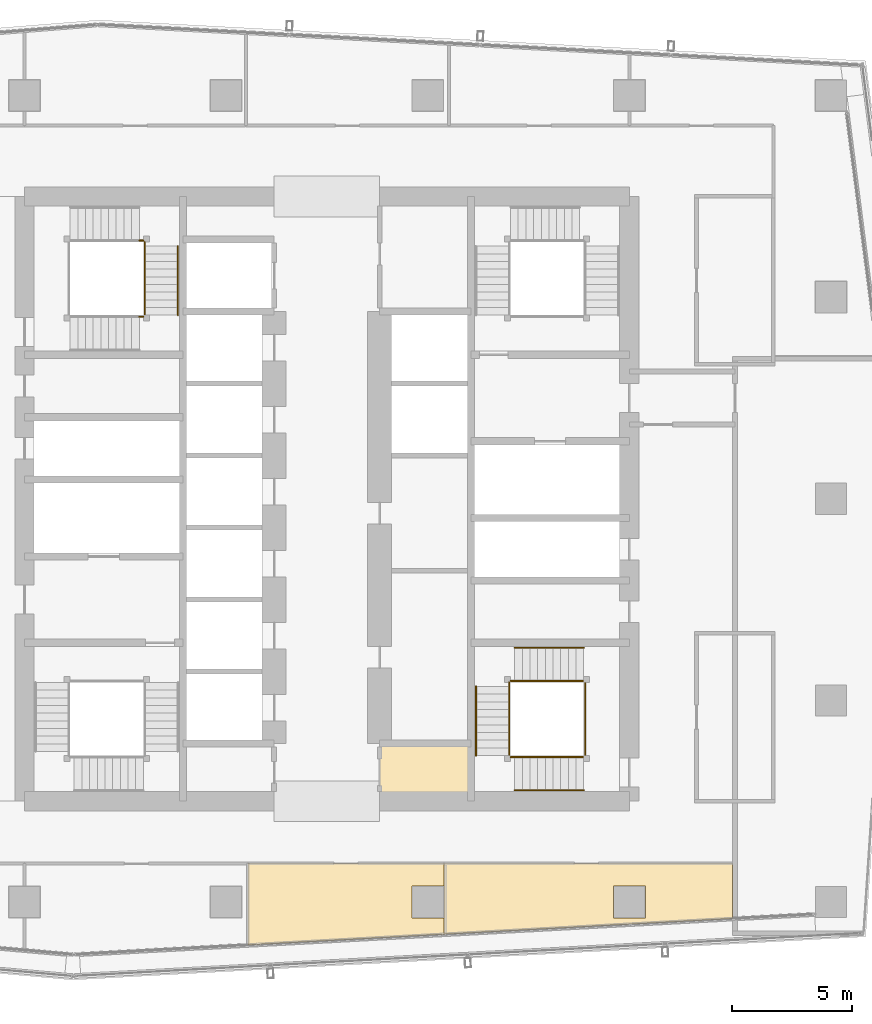
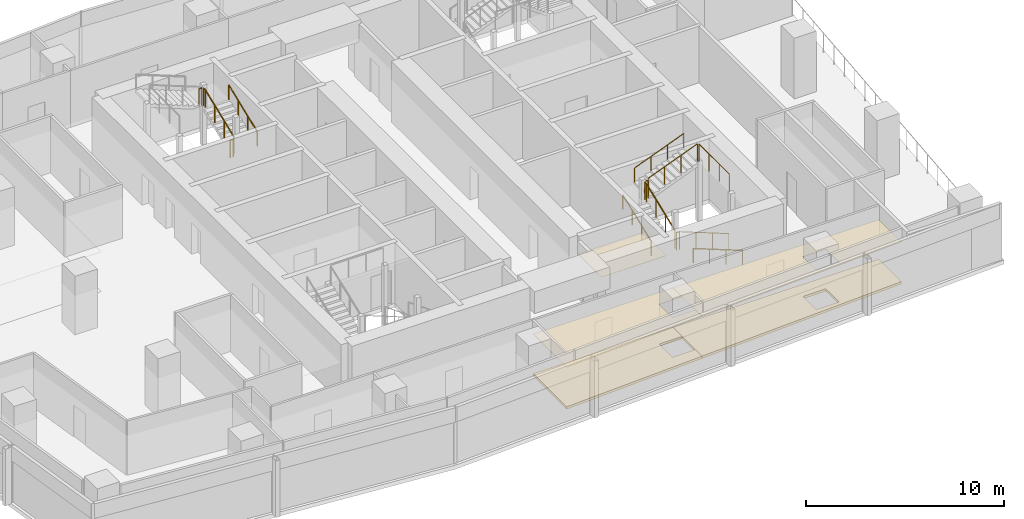
# One storey, part 26 of 28: 15 railings, 5 coverings.
"""IFC4 building model written with IfcOpenShell, lengths in metres."""

from ifc_helpers import new_model, si_unit, direction, frame, origin, origin_2d, place, context, subcontext, project, spatial, polyline, circle, outline, extrude, material, layer, layer_set, type_object, element, save


model = new_model("IFC4")

# Units and contexts
model_context = context("Model", 3, precision=1e-05, world=origin(), true_north=direction((0.0, 1.0)))
body_context = subcontext(model_context, "Body", "Model", "MODEL_VIEW")
ifc_project = project(units=[si_unit("LENGTHUNIT", "METRE"), si_unit("AREAUNIT", "SQUARE_METRE"), si_unit("VOLUMEUNIT", "CUBIC_METRE"), si_unit("PLANEANGLEUNIT", "RADIAN"), si_unit("MASSUNIT", "GRAM", prefix="KILO")], contexts=[model_context])

# Site, building, storey
site_placement = place(None, origin())
site = spatial("IfcSite", under=ifc_project, at=site_placement, CompositionType="ELEMENT")
building_placement = place(site_placement, origin())
building = spatial("IfcBuilding", under=site, at=building_placement, Name="Rekha Terrace Tower", CompositionType="ELEMENT")
storey_placement = place(building_placement, frame((0.0, 0.0, 253.85009765625)))
storey = spatial("IfcBuildingStorey", under=building, at=storey_placement, Name="L64", CompositionType="ELEMENT", Elevation=253.85009765625)

# Coverings
ifc_material_1 = material(Name="Mineral fibre tile in exposed grid", Category="finish")
ifc_layer_1 = layer(ifc_material_1, 0.02001953125)
ifc_layer_set_1 = layer_set([ifc_layer_1], Name="Mineral fibre tile in exposed grid")
covering_type_1 = type_object("IfcCoveringType", Name="CL1 600x1200 office grid ceiling", PredefinedType="CEILING", material=ifc_layer_set_1)
covering_1_placement = place(storey_placement, frame((0.0, 0.0, 2.579833984375)))
element("IfcCovering", 1, at=covering_1_placement, inside=storey, type_object=covering_type_1, Name="Ceiling L64-02", PredefinedType="CEILING", context=body_context, shape_type="SweptSolid", body=[
    extrude(outline(polyline([(54.698974609375, 18.39990234375), (42.674072265625, 18.39990234375), (42.674072265625, 15.4541015625), (54.698974609375, 16.10888671875), (54.698974609375, 18.39990234375)]), holes=[polyline([(51.06494140625, 16.135009765625), (49.735107421875, 16.135009765625), (49.735107421875, 17.465087890625), (51.06494140625, 17.465087890625), (51.06494140625, 16.135009765625)])]), origin(), (0.0, 0.0, 1.0), 0.02001953125),
])
covering_2_placement = place(storey_placement, frame((0.0, 0.0, 2.579833984375)))
element("IfcCovering", 2, at=covering_2_placement, inside=storey, type_object=covering_type_1, Name="Ceiling L64-11", PredefinedType="CEILING", context=body_context, shape_type="SweptSolid", body=[
    extrude(outline(polyline([(34.5048828125, 18.39990234375), (34.5048828125, 15.009033203125), (42.673095703125, 15.4541015625), (42.673095703125, 16.135009765625), (41.3349609375, 16.135009765625), (41.3349609375, 17.465087890625), (42.673095703125, 17.465087890625), (42.673095703125, 18.39990234375), (34.5048828125, 18.39990234375)])), origin(), (0.0, 0.0, 1.0), 0.02001953125),
])
ifc_material_2 = material(Name="Fibre cement board", Category="finish")
ifc_layer_2 = layer(ifc_material_2, 0.014892578125)
ifc_layer_set_2 = layer_set([ifc_layer_2], Name="Fibre cement board")
covering_type_2 = type_object("IfcCoveringType", Name="CL2 moisture-resistant board ceiling", PredefinedType="CEILING", material=ifc_layer_set_2)
covering_3_placement = place(storey_placement, frame((0.0, 0.0, 2.5849609375)))
element("IfcCovering", 3, at=covering_3_placement, inside=storey, type_object=covering_type_2, Name="Ceiling L64-WCA", PredefinedType="CEILING", context=body_context, shape_type="SweptSolid", body=[
    extrude(outline(polyline([(43.800048828125, 23.39990234375), (40.0, 23.39990234375), (40.0, 21.0), (43.800048828125, 21.0), (43.800048828125, 23.39990234375)])), origin(), (0.0, 0.0, 1.0), 0.014892578125),
])

# Railings
ifc_material_3 = material(Name="Stainless steel balustrade", Category="steel")
railing_type_1 = type_object("IfcRailingType", Name="GR1 1100 stair guard", PredefinedType="GUARDRAIL", material=ifc_material_3)
railing_1_placement = place(storey_placement, frame((48.5, 22.840087890625, 0.125)))
element("IfcRailing", 4, at=railing_1_placement, inside=storey, type_object=railing_type_1, Name="Guard ST3 L64 flight 1", PredefinedType="GUARDRAIL", context=body_context, shape_type="SweptSolid", body=[
    extrude(circle(Radius=0.02392578125, at=origin_2d()), frame((0.0, 0.0, 1.076171875), z_axis=(-0.931452331594, 0.0, 0.363863372667), x_axis=(0.0, -1.0, 0.0)), (0.0, 0.0, 1.0), 3.091796875),
    extrude(circle(Radius=0.02099609375, at=origin_2d()), origin(), (0.0, 0.0, 1.0), 1.052001953125),
    extrude(circle(Radius=0.02099609375, at=origin_2d()), frame((-0.9599609375, 0.0, 0.375)), (0.0, 0.0, 1.0), 1.052001953125),
    extrude(circle(Radius=0.02099609375, at=origin_2d()), frame((-1.919921875, 0.0, 0.75)), (0.0, 0.0, 1.0), 1.052001953125),
    extrude(circle(Radius=0.02099609375, at=origin_2d()), frame((-2.8798828125, 0.0, 1.125)), (0.0, 0.0, 1.0), 1.052001953125),
])
railing_2_placement = place(storey_placement, frame((45.389892578125, 22.89990234375, 1.375)))
element("IfcRailing", 5, at=railing_2_placement, inside=storey, type_object=railing_type_1, Name="Guard ST3 L64 flight 2", PredefinedType="GUARDRAIL", context=body_context, shape_type="SweptSolid", body=[
    extrude(circle(Radius=0.02392578125, at=origin_2d()), frame((0.0, 0.0, 1.076171875), z_axis=(0.0, 0.931462784923, 0.363836612098), x_axis=(-1.0, 0.0, 0.0)), (0.0, 0.0, 1.0), 3.092041015625),
    extrude(circle(Radius=0.02099609375, at=origin_2d()), origin(), (0.0, 0.0, 1.0), 1.052001953125),
    extrude(circle(Radius=0.02099609375, at=origin_2d()), frame((0.0, 0.9599609375, 0.375)), (0.0, 0.0, 1.0), 1.052001953125),
    extrude(circle(Radius=0.02099609375, at=origin_2d()), frame((0.0, 1.920166015625, 0.75)), (0.0, 0.0, 1.0), 1.052001953125),
    extrude(circle(Radius=0.02099609375, at=origin_2d()), frame((0.0, 2.880126953125, 1.125)), (0.0, 0.0, 1.0), 1.052001953125),
])
railing_3_placement = place(storey_placement, frame((45.6201171875, 26.010009765625, 2.625)))
element("IfcRailing", 6, at=railing_3_placement, inside=storey, type_object=railing_type_1, Name="Guard ST3 L64 flight 3", PredefinedType="GUARDRAIL", context=body_context, shape_type="SweptSolid", body=[
    extrude(circle(Radius=0.02392578125, at=origin_2d()), frame((0.0, 0.0, 1.076171875), z_axis=(0.931452331594, 0.0, 0.363863372667), x_axis=(0.0, 1.0, 0.0)), (0.0, 0.0, 1.0), 3.091796875),
    extrude(circle(Radius=0.02099609375, at=origin_2d()), origin(), (0.0, 0.0, 1.0), 1.052001953125),
    extrude(circle(Radius=0.02099609375, at=origin_2d()), frame((0.9599609375, 0.0, 0.375)), (0.0, 0.0, 1.0), 1.052001953125),
    extrude(circle(Radius=0.02099609375, at=origin_2d()), frame((1.919921875, 0.0, 0.75)), (0.0, 0.0, 1.0), 1.052001953125),
    extrude(circle(Radius=0.02099609375, at=origin_2d()), frame((2.8798828125, 0.0, 1.125)), (0.0, 0.0, 1.0), 1.052001953125),
])
railing_4_placement = place(storey_placement, frame((45.6201171875, 22.840087890625, 1.25)))
element("IfcRailing", 7, at=railing_4_placement, inside=storey, type_object=railing_type_1, Name="Guard ST3 L64 landing 1", PredefinedType="GUARDRAIL", context=body_context, shape_type="SweptSolid", body=[
    extrude(circle(Radius=0.02392578125, at=origin_2d()), frame((0.0, 0.0, 1.076171875), z_axis=(-1.0, 0.0, 0.0), x_axis=(0.0, -1.0, 0.0)), (0.0, 0.0, 1.0), 0.170166015625),
    extrude(circle(Radius=0.02099609375, at=origin_2d()), origin(), (0.0, 0.0, 1.0), 1.052001953125),
    extrude(circle(Radius=0.02099609375, at=origin_2d()), frame((-0.170166015625, 0.0, 0.0)), (0.0, 0.0, 1.0), 1.052001953125),
])
railing_5_placement = place(storey_placement, frame((45.389892578125, 25.780029296875, 2.5)))
element("IfcRailing", 8, at=railing_5_placement, inside=storey, type_object=railing_type_1, Name="Guard ST3 L64 landing 2", PredefinedType="GUARDRAIL", context=body_context, shape_type="SweptSolid", body=[
    extrude(circle(Radius=0.02392578125, at=origin_2d()), frame((0.0, 0.0, 1.076171875), z_axis=(0.0, 1.0, 0.0), x_axis=(-1.0, 0.0, 0.0)), (0.0, 0.0, 1.0), 0.169921875),
    extrude(circle(Radius=0.02099609375, at=origin_2d()), origin(), (0.0, 0.0, 1.0), 1.052001953125),
    extrude(circle(Radius=0.02099609375, at=origin_2d()), frame((0.0, 0.169921875, 0.0)), (0.0, 0.0, 1.0), 1.052001953125),
])
railing_6_placement = place(storey_placement, frame((45.6201171875, 26.010009765625, 2.5)))
element("IfcRailing", 9, at=railing_6_placement, inside=storey, type_object=railing_type_1, Name="Guard ST3 L64 landing 3", PredefinedType="GUARDRAIL", context=body_context, shape_type="SweptSolid", body=[
    extrude(circle(Radius=0.02392578125, at=origin_2d()), frame((0.0, 0.0, 1.076171875), z_axis=(-1.0, 0.0, 0.0), x_axis=(0.0, -1.0, 0.0)), (0.0, 0.0, 1.0), 0.170166015625),
    extrude(circle(Radius=0.02099609375, at=origin_2d()), origin(), (0.0, 0.0, 1.0), 1.052001953125),
    extrude(circle(Radius=0.02099609375, at=origin_2d()), frame((-0.170166015625, 0.0, 0.0)), (0.0, 0.0, 1.0), 1.052001953125),
])
railing_7_placement = place(storey_placement, frame((48.56005859375, 22.89990234375, 3.75)))
element("IfcRailing", 10, at=railing_7_placement, inside=storey, type_object=railing_type_1, Name="Guard ST3 L64 landing 4", PredefinedType="GUARDRAIL", context=body_context, shape_type="SweptSolid", body=[
    extrude(circle(Radius=0.02392578125, at=origin_2d()), frame((0.0, 0.0, 1.076171875), z_axis=(0.0, 1.0, 0.0), x_axis=(-1.0, 0.0, 0.0)), (0.0, 0.0, 1.0), 3.050048828125),
    extrude(circle(Radius=0.02099609375, at=origin_2d()), origin(), (0.0, 0.0, 1.0), 1.052001953125),
    extrude(circle(Radius=0.02099609375, at=origin_2d()), frame((0.0, 1.0166015625, 0.0)), (0.0, 0.0, 1.0), 1.052001953125),
    extrude(circle(Radius=0.02099609375, at=origin_2d()), frame((0.0, 2.033447265625, 0.0)), (0.0, 0.0, 1.0), 1.052001953125),
    extrude(circle(Radius=0.02099609375, at=origin_2d()), frame((0.0, 3.050048828125, 0.0)), (0.0, 0.0, 1.0), 1.052001953125),
])
railing_8_placement = place(storey_placement, frame((30.2099609375, 41.25, 1.375)))
element("IfcRailing", 11, at=railing_8_placement, inside=storey, type_object=railing_type_1, Name="Guard ST4 L64 flight 2", PredefinedType="GUARDRAIL", context=body_context, shape_type="SweptSolid", body=[
    extrude(circle(Radius=0.02392578125, at=origin_2d()), frame((0.0, 0.0, 1.076171875), z_axis=(0.0, 0.931452331594, 0.363863372667), x_axis=(-1.0, 0.0, 0.0)), (0.0, 0.0, 1.0), 3.091796875),
    extrude(circle(Radius=0.02099609375, at=origin_2d()), origin(), (0.0, 0.0, 1.0), 1.052001953125),
    extrude(circle(Radius=0.02099609375, at=origin_2d()), frame((0.0, 0.9599609375, 0.375)), (0.0, 0.0, 1.0), 1.052001953125),
    extrude(circle(Radius=0.02099609375, at=origin_2d()), frame((0.0, 1.919921875, 0.75)), (0.0, 0.0, 1.0), 1.052001953125),
    extrude(circle(Radius=0.02099609375, at=origin_2d()), frame((0.0, 2.8798828125, 1.125)), (0.0, 0.0, 1.0), 1.052001953125),
])
railing_9_placement = place(storey_placement, frame((29.97998046875, 41.18994140625, 1.25)))
element("IfcRailing", 12, at=railing_9_placement, inside=storey, type_object=railing_type_1, Name="Guard ST4 L64 landing 1", PredefinedType="GUARDRAIL", context=body_context, shape_type="SweptSolid", body=[
    extrude(circle(Radius=0.02392578125, at=origin_2d()), frame((0.0, 0.0, 1.076171875), z_axis=(1.0, 0.0, 0.0), x_axis=(0.0, 1.0, 0.0)), (0.0, 0.0, 1.0), 0.169921875),
    extrude(circle(Radius=0.02099609375, at=origin_2d()), origin(), (0.0, 0.0, 1.0), 1.052001953125),
    extrude(circle(Radius=0.02099609375, at=origin_2d()), frame((0.169921875, 0.0, 0.0)), (0.0, 0.0, 1.0), 1.052001953125),
])
railing_10_placement = place(storey_placement, frame((30.2099609375, 44.1298828125, 2.5)))
element("IfcRailing", 13, at=railing_10_placement, inside=storey, type_object=railing_type_1, Name="Guard ST4 L64 landing 2", PredefinedType="GUARDRAIL", context=body_context, shape_type="SweptSolid", body=[
    extrude(circle(Radius=0.02392578125, at=origin_2d()), frame((0.0, 0.0, 1.076171875), z_axis=(0.0, 1.0, 0.0), x_axis=(-1.0, 0.0, 0.0)), (0.0, 0.0, 1.0), 0.170166015625),
    extrude(circle(Radius=0.02099609375, at=origin_2d()), origin(), (0.0, 0.0, 1.0), 1.052001953125),
    extrude(circle(Radius=0.02099609375, at=origin_2d()), frame((0.0, 0.170166015625, 0.0)), (0.0, 0.0, 1.0), 1.052001953125),
])
railing_11_placement = place(storey_placement, frame((29.97998046875, 44.360107421875, 2.5)))
element("IfcRailing", 14, at=railing_11_placement, inside=storey, type_object=railing_type_1, Name="Guard ST4 L64 landing 3", PredefinedType="GUARDRAIL", context=body_context, shape_type="SweptSolid", body=[
    extrude(circle(Radius=0.02392578125, at=origin_2d()), frame((0.0, 0.0, 1.076171875), z_axis=(1.0, 0.0, 0.0), x_axis=(0.0, 1.0, 0.0)), (0.0, 0.0, 1.0), 0.169921875),
    extrude(circle(Radius=0.02099609375, at=origin_2d()), origin(), (0.0, 0.0, 1.0), 1.052001953125),
    extrude(circle(Radius=0.02099609375, at=origin_2d()), frame((0.169921875, 0.0, 0.0)), (0.0, 0.0, 1.0), 1.052001953125),
])
ifc_material_4 = material(Name="Stainless steel tube", Category="steel")
railing_type_2 = type_object("IfcRailingType", Name="HR1 900 stair handrail", PredefinedType="HANDRAIL", material=ifc_material_4)
railing_12_placement = place(storey_placement, frame((48.5, 21.4599609375, 0.125)))
element("IfcRailing", 15, at=railing_12_placement, inside=storey, type_object=railing_type_2, Name="Handrail ST3 L64 flight 1", PredefinedType="HANDRAIL", context=body_context, shape_type="SweptSolid", body=[
    extrude(circle(Radius=0.02392578125, at=origin_2d()), frame((0.0, 0.0, 0.8759765625), z_axis=(-0.931452331594, 0.0, 0.363863372667), x_axis=(0.0, -1.0, 0.0)), (0.0, 0.0, 1.0), 3.091796875),
    extrude(circle(Radius=0.02099609375, at=origin_2d()), origin(), (0.0, 0.0, 1.0), 0.851806640625),
    extrude(circle(Radius=0.02099609375, at=origin_2d()), frame((-0.9599609375, 0.0, 0.375)), (0.0, 0.0, 1.0), 0.851806640625),
    extrude(circle(Radius=0.02099609375, at=origin_2d()), frame((-1.919921875, 0.0, 0.75)), (0.0, 0.0, 1.0), 0.851806640625),
    extrude(circle(Radius=0.02099609375, at=origin_2d()), frame((-2.8798828125, 0.0, 1.125)), (0.0, 0.0, 1.0), 0.851806640625),
])
railing_13_placement = place(storey_placement, frame((44.010009765625, 22.89990234375, 1.375)))
element("IfcRailing", 16, at=railing_13_placement, inside=storey, type_object=railing_type_2, Name="Handrail ST3 L64 flight 2", PredefinedType="HANDRAIL", context=body_context, shape_type="SweptSolid", body=[
    extrude(circle(Radius=0.02392578125, at=origin_2d()), frame((0.0, 0.0, 0.8759765625), z_axis=(0.0, 0.931462784923, 0.363836612098), x_axis=(-1.0, 0.0, 0.0)), (0.0, 0.0, 1.0), 3.092041015625),
    extrude(circle(Radius=0.02099609375, at=origin_2d()), origin(), (0.0, 0.0, 1.0), 0.851806640625),
    extrude(circle(Radius=0.02099609375, at=origin_2d()), frame((0.0, 0.9599609375, 0.375)), (0.0, 0.0, 1.0), 0.851806640625),
    extrude(circle(Radius=0.02099609375, at=origin_2d()), frame((0.0, 1.920166015625, 0.75)), (0.0, 0.0, 1.0), 0.851806640625),
    extrude(circle(Radius=0.02099609375, at=origin_2d()), frame((0.0, 2.880126953125, 1.125)), (0.0, 0.0, 1.0), 0.851806640625),
])
railing_14_placement = place(storey_placement, frame((45.6201171875, 27.389892578125, 2.625)))
element("IfcRailing", 17, at=railing_14_placement, inside=storey, type_object=railing_type_2, Name="Handrail ST3 L64 flight 3", PredefinedType="HANDRAIL", context=body_context, shape_type="SweptSolid", body=[
    extrude(circle(Radius=0.02392578125, at=origin_2d()), frame((0.0, 0.0, 0.8759765625), z_axis=(0.931452331594, 0.0, 0.363863372667), x_axis=(0.0, 1.0, 0.0)), (0.0, 0.0, 1.0), 3.091796875),
    extrude(circle(Radius=0.02099609375, at=origin_2d()), origin(), (0.0, 0.0, 1.0), 0.851806640625),
    extrude(circle(Radius=0.02099609375, at=origin_2d()), frame((0.9599609375, 0.0, 0.375)), (0.0, 0.0, 1.0), 0.851806640625),
    extrude(circle(Radius=0.02099609375, at=origin_2d()), frame((1.919921875, 0.0, 0.75)), (0.0, 0.0, 1.0), 0.851806640625),
    extrude(circle(Radius=0.02099609375, at=origin_2d()), frame((2.8798828125, 0.0, 1.125)), (0.0, 0.0, 1.0), 0.851806640625),
])
railing_15_placement = place(storey_placement, frame((31.590087890625, 41.25, 1.375)))
element("IfcRailing", 18, at=railing_15_placement, inside=storey, type_object=railing_type_2, Name="Handrail ST4 L64 flight 2", PredefinedType="HANDRAIL", context=body_context, shape_type="SweptSolid", body=[
    extrude(circle(Radius=0.02392578125, at=origin_2d()), frame((0.0, 0.0, 0.8759765625), z_axis=(0.0, 0.931452331594, 0.363863372667), x_axis=(-1.0, 0.0, 0.0)), (0.0, 0.0, 1.0), 3.091796875),
    extrude(circle(Radius=0.02099609375, at=origin_2d()), origin(), (0.0, 0.0, 1.0), 0.851806640625),
    extrude(circle(Radius=0.02099609375, at=origin_2d()), frame((0.0, 0.9599609375, 0.375)), (0.0, 0.0, 1.0), 0.851806640625),
    extrude(circle(Radius=0.02099609375, at=origin_2d()), frame((0.0, 1.919921875, 0.75)), (0.0, 0.0, 1.0), 0.851806640625),
    extrude(circle(Radius=0.02099609375, at=origin_2d()), frame((0.0, 2.8798828125, 1.125)), (0.0, 0.0, 1.0), 0.851806640625),
])

# Coverings
ifc_material_5 = material(Name="Calcium sulphate panels on steel pedestals", Category="steel")
ifc_layer_3 = layer(ifc_material_5, 0.14990234375)
ifc_layer_set_3 = layer_set([ifc_layer_3], Name="Calcium sulphate panels on steel pedestals")
covering_type_3 = type_object("IfcCoveringType", Name="RF1 150 raised access floor", PredefinedType="FLOORING", material=ifc_layer_set_3)
covering_4_placement = place(storey_placement, origin())
element("IfcCovering", 19, at=covering_4_placement, inside=storey, type_object=covering_type_3, Name="Raised floor L64-02", PredefinedType="FLOORING", context=body_context, shape_type="SweptSolid", body=[
    extrude(outline(polyline([(54.698974609375, 18.39990234375), (42.674072265625, 18.39990234375), (42.674072265625, 15.4541015625), (54.698974609375, 16.10888671875), (54.698974609375, 18.39990234375)]), holes=[polyline([(51.06494140625, 16.135009765625), (49.735107421875, 16.135009765625), (49.735107421875, 17.465087890625), (51.06494140625, 17.465087890625), (51.06494140625, 16.135009765625)])]), origin(), (0.0, 0.0, 1.0), 0.14990234375),
])
covering_5_placement = place(storey_placement, origin())
element("IfcCovering", 20, at=covering_5_placement, inside=storey, type_object=covering_type_3, Name="Raised floor L64-11", PredefinedType="FLOORING", context=body_context, shape_type="SweptSolid", body=[
    extrude(outline(polyline([(34.5048828125, 18.39990234375), (34.5048828125, 15.009033203125), (42.673095703125, 15.4541015625), (42.673095703125, 16.135009765625), (41.3349609375, 16.135009765625), (41.3349609375, 17.465087890625), (42.673095703125, 17.465087890625), (42.673095703125, 18.39990234375), (34.5048828125, 18.39990234375)])), origin(), (0.0, 0.0, 1.0), 0.14990234375),
])

save(model, "model.ifc")
